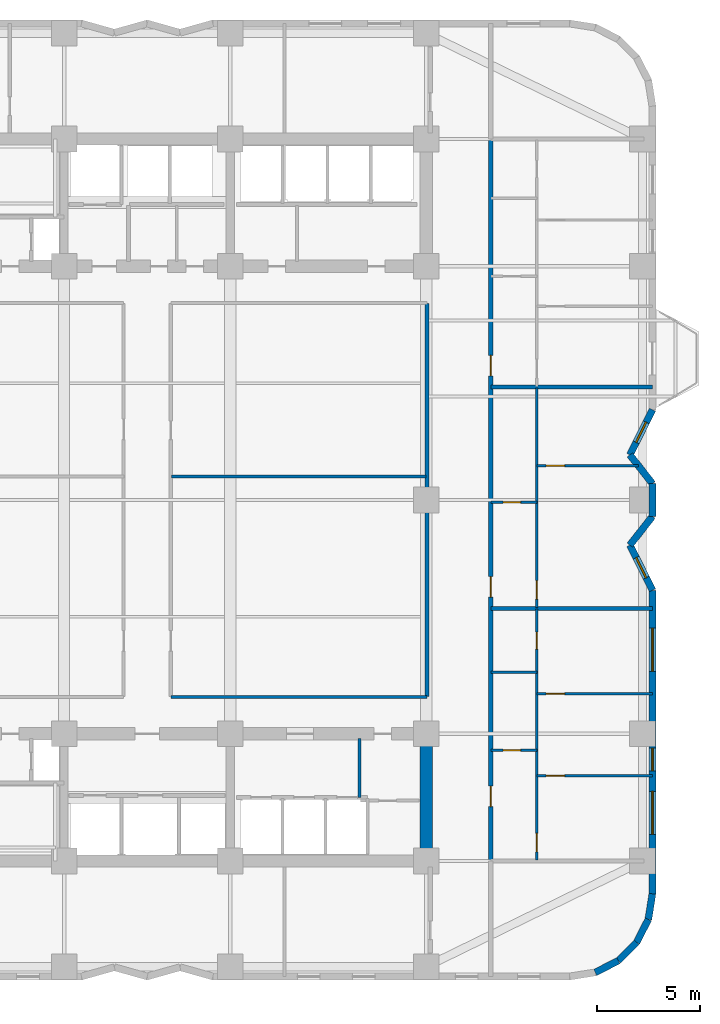
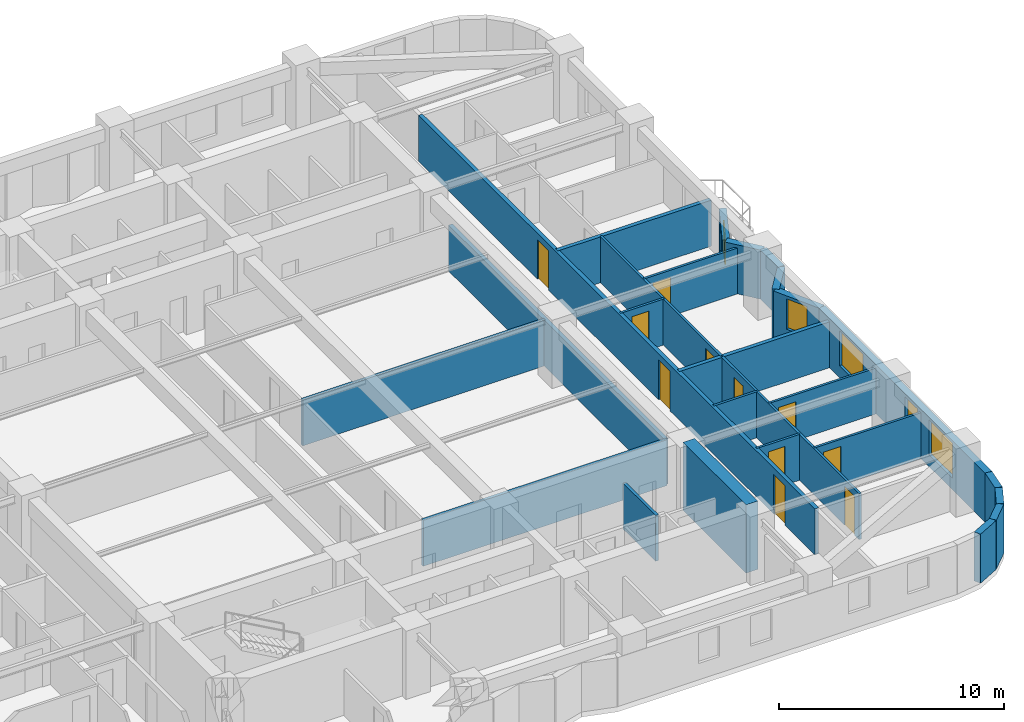
# One storey, part 5 of 10: 26 walls, 11 doors, 5 windows, 16 openings.
"""IFC4 building model written with IfcOpenShell, lengths in metres."""

from ifc_helpers import new_model, si_unit, direction, frame, frame_2d, origin, place, context, subcontext, project, spatial, rectangle, extrude, material, layer, layer_set, type_object, element, fill, save


model = new_model("IFC4")

# Units and contexts
model_context = context("Model", 3, precision=1e-05, world=origin(), true_north=direction((0.0, 1.0)))
body_context = subcontext(model_context, "Body", "Model", "MODEL_VIEW")
ifc_project = project(units=[si_unit("LENGTHUNIT", "METRE"), si_unit("AREAUNIT", "SQUARE_METRE"), si_unit("VOLUMEUNIT", "CUBIC_METRE"), si_unit("PLANEANGLEUNIT", "RADIAN"), si_unit("MASSUNIT", "GRAM", prefix="KILO")], contexts=[model_context])

# Site, building, storey
site_placement = place(None, origin())
site = spatial("IfcSite", under=ifc_project, at=site_placement, CompositionType="ELEMENT")
building_placement = place(site_placement, origin())
building = spatial("IfcBuilding", under=site, at=building_placement, Name="Svetorya Sky Lyceum", CompositionType="ELEMENT")
storey_placement = place(building_placement, frame((0.0, 0.0, 73.199951171875)))
storey = spatial("IfcBuildingStorey", under=building, at=storey_placement, Name="L18", CompositionType="ELEMENT", Elevation=73.199951171875)

# Walls
ifc_material_1 = material(Name="Concrete C60/75", Category="concrete")
ifc_layer_1 = layer(ifc_material_1, 0.60009765625)
ifc_layer_set_1 = layer_set([ifc_layer_1], Name="Concrete C60/75")
wall_type_1 = type_object("IfcWallType", Name="WL-CORE-600", PredefinedType="SHEAR", material=ifc_layer_set_1)
wall_1_placement = place(storey_placement, frame((52.800048828125, 10.89990234375, 0.0), z_axis=(0.0, 0.0, 1.0), x_axis=(0.0, 1.0, 0.0)))
element("IfcWall", 1, at=wall_1_placement, inside=storey, type_object=wall_type_1, Name="L18 SC East Core Shear Wall", PredefinedType="SHEAR", context=body_context, shape_type="SweptSolid", body=[
    extrude(rectangle(XDim=5.60009765625, YDim=0.60009765625, at=frame_2d((2.800048828125, 0.0))), origin(), (0.0, 0.0, 1.0), 3.699951171875),
])
ifc_material_2 = material(Name="Putilovo limestone rainscreen on autoclaved cellular masonry", Category="masonry")
ifc_layer_2 = layer(ifc_material_2, 0.340087890625)
ifc_layer_set_2 = layer_set([ifc_layer_2], Name="Putilovo limestone rainscreen on autoclaved cellular masonry")
wall_type_2 = type_object("IfcWallType", Name="WL-EXT-340", PredefinedType="SOLIDWALL", material=ifc_layer_set_2)
for number, where, z_axis, x_axis, name in (
    (2, (61.04541015625, 5.167236328125, 0.0), (0.0, 0.0, 1.0), (0.890953769915, 0.454094020963, 0.0), "L18 Limestone Exterior Wall 13M"),
    (3, (62.168701171875, 5.73974609375, 0.0), (0.0, 0.0, 1.0), (0.707203598708, 0.707009950407, 0.0), "L18 Limestone Exterior Wall 14M"),
):
    element("IfcWall", number, at=place(storey_placement, frame(where, z_axis=z_axis, x_axis=x_axis)), inside=storey, type_object=wall_type_2, Name=name, PredefinedType="SOLIDWALL", context=body_context, shape_type="SweptSolid", body=[
        extrude(rectangle(XDim=1.2607421875, YDim=0.340087890625, at=frame_2d((0.63037109375, 0.0))), origin(), (0.0, 0.0, 1.0), 2.66015625),
    ])
for number, where, z_axis, x_axis, name in (
    (4, (63.060302734375, 6.631103515625, 0.0), (0.0, 0.0, 1.0), (0.454015689056, 0.890993689142, 0.0), "L18 Limestone Exterior Wall 15M"),
    (5, (63.6328125, 7.754638671875, 0.0), (0.0, 0.0, 1.0), (0.15644975923, 0.987685918112, 0.0), "L18 Limestone Exterior Wall 16M"),
):
    element("IfcWall", number, at=place(storey_placement, frame(where, z_axis=z_axis, x_axis=x_axis)), inside=storey, type_object=wall_type_2, Name=name, PredefinedType="SOLIDWALL", context=body_context, shape_type="SweptSolid", body=[
        extrude(rectangle(XDim=1.260986328125, YDim=0.340087890625, at=frame_2d((0.63037109375, 0.0))), origin(), (0.0, 0.0, 1.0), 2.66015625),
    ])

# Wall, openings, windows
wall_2_placement = place(storey_placement, frame((63.830078125, 9.0, 0.0), z_axis=(0.0, 0.0, 1.0), x_axis=(0.0, 1.0, 0.0)))
wall_2 = element("IfcWall", 6, at=wall_2_placement, inside=storey, type_object=wall_type_2, Name="L18 Limestone Exterior Wall 17M", PredefinedType="SOLIDWALL", context=body_context, shape_type="SweptSolid", body=[
    extrude(rectangle(XDim=14.800048828125, YDim=0.340087890625, at=frame_2d((7.39990234375, 0.0))), origin(), (0.0, 0.0, 1.0), 2.66015625),
])
opening_1_placement = place(wall_2_placement, frame((2.89990234375, 0.0, 0.639892578125)))
opening_1 = element("IfcOpeningElement", 7, at=opening_1_placement, cuts=wall_2, Name="Opening W-R0", PredefinedType="OPENING", context=body_context, shape_type="SweptSolid", body=[
    extrude(rectangle(XDim=2.10009765625, YDim=1.89990234375, at=frame_2d((1.050048828125, 0.949951171875))), frame((0.0, 0.179931640625, 0.0), z_axis=(0.0, -1.0, 0.0), x_axis=(1.0, 0.0, 0.0)), (0.0, 0.0, 1.0), 0.360107421875),
])
opening_2_placement = place(wall_2_placement, frame((6.0, 0.0, 0.85009765625)))
opening_2 = element("IfcOpeningElement", 8, at=opening_2_placement, cuts=wall_2, Name="Opening W-R3", PredefinedType="OPENING", context=body_context, shape_type="SweptSolid", body=[
    extrude(rectangle(XDim=1.10009765625, YDim=1.64990234375, at=frame_2d((0.550048828125, 0.824951171875))), frame((0.0, 0.179931640625, 0.0), z_axis=(0.0, -1.0, 0.0), x_axis=(1.0, 0.0, 0.0)), (0.0, 0.0, 1.0), 0.360107421875),
])
opening_3_placement = place(wall_2_placement, frame((10.85009765625, 0.0, 0.639892578125)))
opening_3 = element("IfcOpeningElement", 9, at=opening_3_placement, cuts=wall_2, Name="Opening W-R0", PredefinedType="OPENING", context=body_context, shape_type="SweptSolid", body=[
    extrude(rectangle(XDim=2.10009765625, YDim=1.89990234375, at=frame_2d((1.050048828125, 0.949951171875))), frame((0.0, 0.179931640625, 0.0), z_axis=(0.0, -1.0, 0.0), x_axis=(1.0, 0.0, 0.0)), (0.0, 0.0, 1.0), 0.360107421875),
])
ifc_material_3 = material(Name="Thermally broken aluminium frame with triple low-E glazing", Category="aluminium")
window_type_1 = type_object("IfcWindowType", Name="WN-RES-110", PartitioningType="SINGLE_PANEL", PredefinedType="WINDOW", material=ifc_material_3)
window_1_placement = place(opening_2_placement, origin())
window_1 = element("IfcWindow", 10, at=window_1_placement, inside=storey, type_object=window_type_1, Name="L18 Facade Window W-R3.17M.3", OverallHeight=1.64990234375, OverallWidth=1.10009765625, PartitioningType="SINGLE_PANEL", PredefinedType="WINDOW", context=body_context, shape_type="SweptSolid", body=[
    extrude(rectangle(XDim=1.10009765625, YDim=1.64990234375, at=frame_2d((0.550048828125, 0.824951171875))), frame((0.0, 0.030029296875, 0.0), z_axis=(0.0, -1.0, 0.0), x_axis=(1.0, 0.0, 0.0)), (0.0, 0.0, 1.0), 0.06005859375),
])
fill(opening_2, window_1)
window_type_2 = type_object("IfcWindowType", Name="WN-RES-210", PartitioningType="TRIPLE_PANEL_VERTICAL", PredefinedType="WINDOW", material=ifc_material_3)
window_2_placement = place(opening_1_placement, origin())
window_2 = element("IfcWindow", 11, at=window_2_placement, inside=storey, type_object=window_type_2, Name="L18 Facade Window W-R0.17M.1", OverallHeight=1.89990234375, OverallWidth=2.10009765625, PartitioningType="SINGLE_PANEL", PredefinedType="WINDOW", context=body_context, shape_type="SweptSolid", body=[
    extrude(rectangle(XDim=2.10009765625, YDim=1.89990234375, at=frame_2d((1.050048828125, 0.949951171875))), frame((0.0, 0.030029296875, 0.0), z_axis=(0.0, -1.0, 0.0), x_axis=(1.0, 0.0, 0.0)), (0.0, 0.0, 1.0), 0.06005859375),
])
fill(opening_1, window_2)
window_3_placement = place(opening_3_placement, origin())
window_3 = element("IfcWindow", 12, at=window_3_placement, inside=storey, type_object=window_type_2, Name="L18 Facade Window W-R0.17M.2", OverallHeight=1.89990234375, OverallWidth=2.10009765625, PartitioningType="SINGLE_PANEL", PredefinedType="WINDOW", context=body_context, shape_type="SweptSolid", body=[
    extrude(rectangle(XDim=2.10009765625, YDim=1.89990234375, at=frame_2d((1.050048828125, 0.949951171875))), frame((0.0, 0.030029296875, 0.0), z_axis=(0.0, -1.0, 0.0), x_axis=(1.0, 0.0, 0.0)), (0.0, 0.0, 1.0), 0.06005859375),
])
fill(opening_3, window_3)

# Wall, opening, window
wall_3_placement = place(storey_placement, frame((63.830078125, 23.800048828125, 0.0), z_axis=(0.0, 0.0, 1.0), x_axis=(-0.447253297971, 0.894407338663, 0.0)))
wall_3 = element("IfcWall", 13, at=wall_3_placement, inside=storey, type_object=wall_type_2, Name="L18 Limestone Exterior Wall 18M", PredefinedType="SOLIDWALL", context=body_context, shape_type="SweptSolid", body=[
    extrude(rectangle(XDim=2.459716796875, YDim=0.340087890625, at=frame_2d((1.22998046875, 0.0))), origin(), (0.0, 0.0, 1.0), 2.66015625),
])
opening_4_placement = place(wall_3_placement, frame((0.6796875, 0.0, 0.85009765625)))
opening_4 = element("IfcOpeningElement", 14, at=opening_4_placement, cuts=wall_3, Name="Opening W-R3", PredefinedType="OPENING", context=body_context, shape_type="SweptSolid", body=[
    extrude(rectangle(XDim=1.10009765625, YDim=1.64990234375, at=frame_2d((0.550048828125, 0.824951171875))), frame((0.0, 0.179931640625, 0.0), z_axis=(0.0, -1.0, 0.0), x_axis=(1.0, 0.0, 0.0)), (0.0, 0.0, 1.0), 0.360107421875),
])
window_4_placement = place(opening_4_placement, origin())
window_4 = element("IfcWindow", 15, at=window_4_placement, inside=storey, type_object=window_type_1, Name="L18 Facade Window W-R3.18M.1", OverallHeight=1.64990234375, OverallWidth=1.10009765625, PartitioningType="SINGLE_PANEL", PredefinedType="WINDOW", context=body_context, shape_type="SweptSolid", body=[
    extrude(rectangle(XDim=1.10009765625, YDim=1.64990234375, at=frame_2d((0.550048828125, 0.824951171875))), frame((0.0, 0.030029296875, 0.0), z_axis=(0.0, -1.0, 0.0), x_axis=(1.0, 0.0, 0.0)), (0.0, 0.0, 1.0), 0.06005859375),
])
fill(opening_4, window_4)

# Walls
wall_4_placement = place(storey_placement, frame((62.72998046875, 26.0, 0.0), z_axis=(0.0, 0.0, 1.0), x_axis=(0.617882109729, 0.786270753925, 0.0)))
element("IfcWall", 16, at=wall_4_placement, inside=storey, type_object=wall_type_2, Name="L18 Limestone Exterior Wall 19M", PredefinedType="SOLIDWALL", context=body_context, shape_type="SweptSolid", body=[
    extrude(rectangle(XDim=1.780517578125, YDim=0.340087890625, at=frame_2d((0.89013671875, 0.0))), origin(), (0.0, 0.0, 1.0), 2.66015625),
])
wall_5_placement = place(storey_placement, frame((63.830078125, 27.39990234375, 0.0), z_axis=(0.0, 0.0, 1.0), x_axis=(0.0, 1.0, 0.0)))
element("IfcWall", 17, at=wall_5_placement, inside=storey, type_object=wall_type_2, Name="L18 Limestone Exterior Wall 20M", PredefinedType="SOLIDWALL", context=body_context, shape_type="SweptSolid", body=[
    extrude(rectangle(XDim=1.60009765625, YDim=0.340087890625, at=frame_2d((0.800048828125, 0.0))), origin(), (0.0, 0.0, 1.0), 2.66015625),
])
wall_6_placement = place(storey_placement, frame((63.830078125, 29.0, 0.0), z_axis=(0.0, 0.0, 1.0), x_axis=(-0.617882109729, 0.786270753925, 0.0)))
element("IfcWall", 18, at=wall_6_placement, inside=storey, type_object=wall_type_2, Name="L18 Limestone Exterior Wall 21M", PredefinedType="SOLIDWALL", context=body_context, shape_type="SweptSolid", body=[
    extrude(rectangle(XDim=1.780517578125, YDim=0.340087890625, at=frame_2d((0.89013671875, 0.0))), origin(), (0.0, 0.0, 1.0), 2.66015625),
])

# Wall, opening, window
wall_7_placement = place(storey_placement, frame((62.72998046875, 30.39990234375, 0.0), z_axis=(0.0, 0.0, 1.0), x_axis=(0.4472135955, 0.894427191, 0.0)))
wall_7 = element("IfcWall", 19, at=wall_7_placement, inside=storey, type_object=wall_type_2, Name="L18 Limestone Exterior Wall 22M", PredefinedType="SOLIDWALL", context=body_context, shape_type="SweptSolid", body=[
    extrude(rectangle(XDim=2.4599609375, YDim=0.340087890625, at=frame_2d((1.22998046875, 0.0))), origin(), (0.0, 0.0, 1.0), 2.66015625),
])
opening_5_placement = place(wall_7_placement, frame((0.6796875, 0.0, 0.85009765625)))
opening_5 = element("IfcOpeningElement", 20, at=opening_5_placement, cuts=wall_7, Name="Opening W-R3", PredefinedType="OPENING", context=body_context, shape_type="SweptSolid", body=[
    extrude(rectangle(XDim=1.10009765625, YDim=1.64990234375, at=frame_2d((0.550048828125, 0.824951171875))), frame((0.0, 0.179931640625, 0.0), z_axis=(0.0, -1.0, 0.0), x_axis=(1.0, 0.0, 0.0)), (0.0, 0.0, 1.0), 0.360107421875),
])
window_5_placement = place(opening_5_placement, origin())
window_5 = element("IfcWindow", 21, at=window_5_placement, inside=storey, type_object=window_type_1, Name="L18 Facade Window W-R3.22M.1", OverallHeight=1.64990234375, OverallWidth=1.10009765625, PartitioningType="SINGLE_PANEL", PredefinedType="WINDOW", context=body_context, shape_type="SweptSolid", body=[
    extrude(rectangle(XDim=1.10009765625, YDim=1.64990234375, at=frame_2d((0.550048828125, 0.824951171875))), frame((0.0, 0.030029296875, 0.0), z_axis=(0.0, -1.0, 0.0), x_axis=(1.0, 0.0, 0.0)), (0.0, 0.0, 1.0), 0.06005859375),
])
fill(opening_5, window_5)

# Wall, opening, door
ifc_material_4 = material(Name="Twin-stud galvanized framing with double fireboard", Category="gypsum")
ifc_layer_3 = layer(ifc_material_4, 0.1201171875)
ifc_layer_set_3 = layer_set([ifc_layer_3], Name="Twin-stud galvanized framing with double fireboard")
wall_type_3 = type_object("IfcWallType", Name="WL-PART-120", PredefinedType="PARTITIONING", material=ifc_layer_set_3)
wall_8_placement = place(storey_placement, frame((55.949951171875, 16.0, 0.0), z_axis=(0.0, 0.0, 1.0), x_axis=(1.0, 0.0, 0.0)))
wall_8 = element("IfcWall", 22, at=wall_8_placement, inside=storey, type_object=wall_type_3, Name="L18 Interior Partition E1-WH1", PredefinedType="PARTITIONING", context=body_context, shape_type="SweptSolid", body=[
    extrude(rectangle(XDim=2.25, YDim=0.1201171875, at=frame_2d((1.125, 0.0))), origin(), (0.0, 0.0, 1.0), 2.489990234375),
])
opening_6_placement = place(wall_8_placement, frame((0.60009765625, 0.0, 0.0)))
opening_6 = element("IfcOpeningElement", 23, at=opening_6_placement, cuts=wall_8, Name="Opening D-BT1", PredefinedType="OPENING", context=body_context, shape_type="SweptSolid", body=[
    extrude(rectangle(XDim=0.85009765625, YDim=2.10009765625, at=frame_2d((0.425048828125, 1.050048828125))), frame((0.0, 0.070068359375, 0.0), z_axis=(0.0, -1.0, 0.0), x_axis=(1.0, 0.0, 0.0)), (0.0, 0.0, 1.0), 0.14013671875),
])
ifc_material_5 = material(Name="Moisture-resistant laminate bathroom door")
door_type_1 = type_object("IfcDoorType", Name="DR-WET-850", OperationType="SINGLE_SWING_LEFT", PredefinedType="DOOR", material=ifc_material_5)
door_1_placement = place(opening_6_placement, origin())
door_1 = element("IfcDoor", 24, at=door_1_placement, inside=storey, type_object=door_type_1, Name="Apartment E1 Bathroom Door", OperationType="SINGLE_SWING_RIGHT", OverallHeight=2.10009765625, OverallWidth=0.85009765625, PredefinedType="DOOR", context=body_context, shape_type="SweptSolid", body=[
    extrude(rectangle(XDim=0.85009765625, YDim=2.10009765625, at=frame_2d((0.425048828125, 1.050048828125))), frame((0.0, 0.02490234375, 0.0), z_axis=(0.0, -1.0, 0.0), x_axis=(1.0, 0.0, 0.0)), (0.0, 0.0, 1.0), 0.050048828125),
])
fill(opening_6, door_1)

# Wall
wall_9_placement = place(storey_placement, frame((55.949951171875, 19.800048828125, 0.0), z_axis=(0.0, 0.0, 1.0), x_axis=(1.0, 0.0, 0.0)))
element("IfcWall", 25, at=wall_9_placement, inside=storey, type_object=wall_type_3, Name="L18 Interior Partition E1-WH2", PredefinedType="PARTITIONING", context=body_context, shape_type="SweptSolid", body=[
    extrude(rectangle(XDim=2.25, YDim=0.1201171875, at=frame_2d((1.125, 0.0))), origin(), (0.0, 0.0, 1.0), 2.489990234375),
])

# Wall, opening, door
wall_10_placement = place(storey_placement, frame((58.199951171875, 14.75, 0.0), z_axis=(0.0, 0.0, 1.0), x_axis=(1.0, 0.0, 0.0)))
wall_10 = element("IfcWall", 26, at=wall_10_placement, inside=storey, type_object=wall_type_3, Name="L18 Interior Partition E1-WL1", PredefinedType="PARTITIONING", context=body_context, shape_type="SweptSolid", body=[
    extrude(rectangle(XDim=5.630126953125, YDim=0.1201171875, at=frame_2d((2.81494140625, 0.0))), origin(), (0.0, 0.0, 1.0), 2.489990234375),
])
opening_7_placement = place(wall_10_placement, frame((0.449951171875, 0.0, 0.0)))
opening_7 = element("IfcOpeningElement", 27, at=opening_7_placement, cuts=wall_10, Name="Opening D-RM1", PredefinedType="OPENING", context=body_context, shape_type="SweptSolid", body=[
    extrude(rectangle(XDim=0.89990234375, YDim=2.10009765625, at=frame_2d((0.449951171875, 1.050048828125))), frame((0.0, 0.070068359375, 0.0), z_axis=(0.0, -1.0, 0.0), x_axis=(1.0, 0.0, 0.0)), (0.0, 0.0, 1.0), 0.14013671875),
])
ifc_material_6 = material(Name="Lacquered birch veneer internal door")
door_type_2 = type_object("IfcDoorType", Name="DR-INT-900", OperationType="SINGLE_SWING_LEFT", PredefinedType="DOOR", material=ifc_material_6)
door_2_placement = place(opening_7_placement, origin())
door_2 = element("IfcDoor", 28, at=door_2_placement, inside=storey, type_object=door_type_2, Name="Apartment E1 Master Bedroom Door", OperationType="SINGLE_SWING_RIGHT", OverallHeight=2.10009765625, OverallWidth=0.89990234375, PredefinedType="DOOR", context=body_context, shape_type="SweptSolid", body=[
    extrude(rectangle(XDim=0.89990234375, YDim=2.10009765625, at=frame_2d((0.449951171875, 1.050048828125))), frame((0.0, 0.02490234375, 0.0), z_axis=(0.0, -1.0, 0.0), x_axis=(1.0, 0.0, 0.0)), (0.0, 0.0, 1.0), 0.050048828125),
])
fill(opening_7, door_2)

wall_11_placement = place(storey_placement, frame((58.199951171875, 18.75, 0.0), z_axis=(0.0, 0.0, 1.0), x_axis=(1.0, 0.0, 0.0)))
wall_11 = element("IfcWall", 29, at=wall_11_placement, inside=storey, type_object=wall_type_3, Name="L18 Interior Partition E1-WL2", PredefinedType="PARTITIONING", context=body_context, shape_type="SweptSolid", body=[
    extrude(rectangle(XDim=5.630126953125, YDim=0.1201171875, at=frame_2d((2.81494140625, 0.0))), origin(), (0.0, 0.0, 1.0), 2.489990234375),
])
opening_8_placement = place(wall_11_placement, frame((0.449951171875, 0.0, 0.0)))
opening_8 = element("IfcOpeningElement", 30, at=opening_8_placement, cuts=wall_11, Name="Opening D-RM1", PredefinedType="OPENING", context=body_context, shape_type="SweptSolid", body=[
    extrude(rectangle(XDim=0.89990234375, YDim=2.10009765625, at=frame_2d((0.449951171875, 1.050048828125))), frame((0.0, 0.070068359375, 0.0), z_axis=(0.0, -1.0, 0.0), x_axis=(1.0, 0.0, 0.0)), (0.0, 0.0, 1.0), 0.14013671875),
])
door_3_placement = place(opening_8_placement, origin())
door_3 = element("IfcDoor", 31, at=door_3_placement, inside=storey, type_object=door_type_2, Name="Apartment E1 Bedroom 2 Door", OperationType="SINGLE_SWING_LEFT", OverallHeight=2.10009765625, OverallWidth=0.89990234375, PredefinedType="DOOR", context=body_context, shape_type="SweptSolid", body=[
    extrude(rectangle(XDim=0.89990234375, YDim=2.10009765625, at=frame_2d((0.449951171875, 1.050048828125))), frame((0.0, 0.02490234375, 0.0), z_axis=(0.0, -1.0, 0.0), x_axis=(1.0, 0.0, 0.0)), (0.0, 0.0, 1.0), 0.050048828125),
])
fill(opening_8, door_3)

# Wall, openings, doors
wall_12_placement = place(storey_placement, frame((58.199951171875, 10.639892578125, 0.0), z_axis=(0.0, 0.0, 1.0), x_axis=(0.0, 1.0, 0.0)))
wall_12 = element("IfcWall", 32, at=wall_12_placement, inside=storey, type_object=wall_type_3, Name="L18 Interior Partition E1-WV", PredefinedType="PARTITIONING", context=body_context, shape_type="SweptSolid", body=[
    extrude(rectangle(XDim=12.239990234375, YDim=0.1201171875, at=frame_2d((6.1201171875, 0.0))), origin(), (0.0, 0.0, 1.0), 2.489990234375),
])
opening_9_placement = place(wall_12_placement, frame((0.409912109375, 0.0, 0.0)))
opening_9 = element("IfcOpeningElement", 33, at=opening_9_placement, cuts=wall_12, Name="Opening D-RM1", PredefinedType="OPENING", context=body_context, shape_type="SweptSolid", body=[
    extrude(rectangle(XDim=0.89990234375, YDim=2.10009765625, at=frame_2d((0.449951171875, 1.050048828125))), frame((0.0, 0.070068359375, 0.0), z_axis=(0.0, -1.0, 0.0), x_axis=(1.0, 0.0, 0.0)), (0.0, 0.0, 1.0), 0.14013671875),
])
opening_10_placement = place(wall_12_placement, frame((10.294921875, 0.0, 0.0)))
opening_10 = element("IfcOpeningElement", 34, at=opening_10_placement, cuts=wall_12, Name="Opening D-BT2", PredefinedType="OPENING", context=body_context, shape_type="SweptSolid", body=[
    extrude(rectangle(XDim=0.820068359375, YDim=2.080078125, at=frame_2d((0.41015625, 1.0400390625))), frame((0.0, 0.070068359375, 0.0), z_axis=(0.0, -1.0, 0.0), x_axis=(1.0, 0.0, 0.0)), (0.0, 0.0, 1.0), 0.14013671875),
])
door_4_placement = place(opening_9_placement, origin())
door_4 = element("IfcDoor", 35, at=door_4_placement, inside=storey, type_object=door_type_2, Name="Apartment E1 Living Door", OperationType="SINGLE_SWING_LEFT", OverallHeight=2.10009765625, OverallWidth=0.89990234375, PredefinedType="DOOR", context=body_context, shape_type="SweptSolid", body=[
    extrude(rectangle(XDim=0.89990234375, YDim=2.10009765625, at=frame_2d((0.449951171875, 1.050048828125))), frame((0.0, 0.02490234375, 0.0), z_axis=(0.0, -1.0, 0.0), x_axis=(1.0, 0.0, 0.0)), (0.0, 0.0, 1.0), 0.050048828125),
])
fill(opening_9, door_4)
ifc_material_7 = material(Name="Compact moisture-resistant laminate closet door")
door_type_3 = type_object("IfcDoorType", Name="DR-WET-820", OperationType="SINGLE_SWING_LEFT", PredefinedType="DOOR", material=ifc_material_7)
door_5_placement = place(opening_10_placement, origin())
door_5 = element("IfcDoor", 36, at=door_5_placement, inside=storey, type_object=door_type_3, Name="Apartment E1 Study Door", OperationType="SINGLE_SWING_RIGHT", OverallHeight=2.080078125, OverallWidth=0.820068359375, PredefinedType="DOOR", context=body_context, shape_type="SweptSolid", body=[
    extrude(rectangle(XDim=0.820068359375, YDim=2.080078125, at=frame_2d((0.41015625, 1.0400390625))), frame((0.0, 0.02490234375, 0.0), z_axis=(0.0, -1.0, 0.0), x_axis=(1.0, 0.0, 0.0)), (0.0, 0.0, 1.0), 0.050048828125),
])
fill(opening_10, door_5)

# Wall, opening, door
wall_13_placement = place(storey_placement, frame((55.949951171875, 28.090087890625, 0.0), z_axis=(0.0, 0.0, 1.0), x_axis=(1.0, 0.0, 0.0)))
wall_13 = element("IfcWall", 37, at=wall_13_placement, inside=storey, type_object=wall_type_3, Name="L18 Interior Partition E2-WH1", PredefinedType="PARTITIONING", context=body_context, shape_type="SweptSolid", body=[
    extrude(rectangle(XDim=2.25, YDim=0.1201171875, at=frame_2d((1.125, 0.0))), origin(), (0.0, 0.0, 1.0), 2.489990234375),
])
opening_11_placement = place(wall_13_placement, frame((0.60009765625, 0.0, 0.0)))
opening_11 = element("IfcOpeningElement", 38, at=opening_11_placement, cuts=wall_13, Name="Opening D-BT1", PredefinedType="OPENING", context=body_context, shape_type="SweptSolid", body=[
    extrude(rectangle(XDim=0.85009765625, YDim=2.10009765625, at=frame_2d((0.425048828125, 1.050048828125))), frame((0.0, 0.070068359375, 0.0), z_axis=(0.0, -1.0, 0.0), x_axis=(1.0, 0.0, 0.0)), (0.0, 0.0, 1.0), 0.14013671875),
])
door_6_placement = place(opening_11_placement, origin())
door_6 = element("IfcDoor", 39, at=door_6_placement, inside=storey, type_object=door_type_1, Name="Apartment E2 Bathroom Door", OperationType="SINGLE_SWING_LEFT", OverallHeight=2.10009765625, OverallWidth=0.85009765625, PredefinedType="DOOR", context=body_context, shape_type="SweptSolid", body=[
    extrude(rectangle(XDim=0.85009765625, YDim=2.10009765625, at=frame_2d((0.425048828125, 1.050048828125))), frame((0.0, 0.02490234375, 0.0), z_axis=(0.0, -1.0, 0.0), x_axis=(1.0, 0.0, 0.0)), (0.0, 0.0, 1.0), 0.050048828125),
])
fill(opening_11, door_6)

wall_14_placement = place(storey_placement, frame((58.199951171875, 29.8701171875, 0.0), z_axis=(0.0, 0.0, 1.0), x_axis=(1.0, 0.0, 0.0)))
wall_14 = element("IfcWall", 40, at=wall_14_placement, inside=storey, type_object=wall_type_3, Name="L18 Interior Partition E2-WL1", PredefinedType="PARTITIONING", context=body_context, shape_type="SweptSolid", body=[
    extrude(rectangle(XDim=4.946533203125, YDim=0.1201171875, at=frame_2d((2.47314453125, 0.0))), origin(), (0.0, 0.0, 1.0), 2.489990234375),
])
opening_12_placement = place(wall_14_placement, frame((0.449951171875, 0.0, 0.0)))
opening_12 = element("IfcOpeningElement", 41, at=opening_12_placement, cuts=wall_14, Name="Opening D-RM1", PredefinedType="OPENING", context=body_context, shape_type="SweptSolid", body=[
    extrude(rectangle(XDim=0.89990234375, YDim=2.10009765625, at=frame_2d((0.449951171875, 1.050048828125))), frame((0.0, 0.070068359375, 0.0), z_axis=(0.0, -1.0, 0.0), x_axis=(1.0, 0.0, 0.0)), (0.0, 0.0, 1.0), 0.14013671875),
])
door_7_placement = place(opening_12_placement, origin())
door_7 = element("IfcDoor", 42, at=door_7_placement, inside=storey, type_object=door_type_2, Name="Apartment E2 Bedroom 1 Door", OperationType="SINGLE_SWING_LEFT", OverallHeight=2.10009765625, OverallWidth=0.89990234375, PredefinedType="DOOR", context=body_context, shape_type="SweptSolid", body=[
    extrude(rectangle(XDim=0.89990234375, YDim=2.10009765625, at=frame_2d((0.449951171875, 1.050048828125))), frame((0.0, 0.02490234375, 0.0), z_axis=(0.0, -1.0, 0.0), x_axis=(1.0, 0.0, 0.0)), (0.0, 0.0, 1.0), 0.050048828125),
])
fill(opening_12, door_7)

wall_15_placement = place(storey_placement, frame((58.199951171875, 22.9599609375, 0.0), z_axis=(0.0, 0.0, 1.0), x_axis=(0.0, 1.0, 0.0)))
wall_15 = element("IfcWall", 43, at=wall_15_placement, inside=storey, type_object=wall_type_3, Name="L18 Interior Partition E2-WV", PredefinedType="PARTITIONING", context=body_context, shape_type="SweptSolid", body=[
    extrude(rectangle(XDim=10.699951171875, YDim=0.1201171875, at=frame_2d((5.35009765625, 0.0))), origin(), (0.0, 0.0, 1.0), 2.489990234375),
])
opening_13_placement = place(wall_15_placement, frame((0.409912109375, 0.0, 0.0)))
opening_13 = element("IfcOpeningElement", 44, at=opening_13_placement, cuts=wall_15, Name="Opening D-RM1", PredefinedType="OPENING", context=body_context, shape_type="SweptSolid", body=[
    extrude(rectangle(XDim=0.89990234375, YDim=2.10009765625, at=frame_2d((0.449951171875, 1.050048828125))), frame((0.0, 0.070068359375, 0.0), z_axis=(0.0, -1.0, 0.0), x_axis=(1.0, 0.0, 0.0)), (0.0, 0.0, 1.0), 0.14013671875),
])
door_8_placement = place(opening_13_placement, origin())
door_8 = element("IfcDoor", 45, at=door_8_placement, inside=storey, type_object=door_type_2, Name="Apartment E2 Living Door", OperationType="SINGLE_SWING_RIGHT", OverallHeight=2.10009765625, OverallWidth=0.89990234375, PredefinedType="DOOR", context=body_context, shape_type="SweptSolid", body=[
    extrude(rectangle(XDim=0.89990234375, YDim=2.10009765625, at=frame_2d((0.449951171875, 1.050048828125))), frame((0.0, 0.02490234375, 0.0), z_axis=(0.0, -1.0, 0.0), x_axis=(1.0, 0.0, 0.0)), (0.0, 0.0, 1.0), 0.050048828125),
])
fill(opening_13, door_8)

# Walls
ifc_material_8 = material(Name="Autoclaved cellular masonry blockwork with acoustic render", Category="masonry")
ifc_layer_4 = layer(ifc_material_8, 0.14990234375)
ifc_layer_set_4 = layer_set([ifc_layer_4], Name="Autoclaved cellular masonry blockwork with acoustic render")
wall_type_4 = type_object("IfcWallType", Name="WL-PART-150", PredefinedType="PARTITIONING", material=ifc_layer_set_4)
wall_16_placement = place(storey_placement, frame((49.550048828125, 13.699951171875, 0.0), z_axis=(0.0, 0.0, 1.0), x_axis=(0.0, 1.0, 0.0)))
element("IfcWall", 46, at=wall_16_placement, inside=storey, type_object=wall_type_4, Name="L18 Interior Partition SC-AUX-V", PredefinedType="PARTITIONING", context=body_context, shape_type="SweptSolid", body=[
    extrude(rectangle(XDim=2.880126953125, YDim=0.14990234375, at=frame_2d((1.43994140625, 0.0))), origin(), (0.0, 0.0, 1.0), 2.489990234375),
])
wall_17_placement = place(storey_placement, frame((40.35009765625, 18.60009765625, 0.0), z_axis=(0.0, 0.0, 1.0), x_axis=(1.0, 0.0, 0.0)))
element("IfcWall", 47, at=wall_17_placement, inside=storey, type_object=wall_type_4, Name="L18 Interior Partition CS-MID-E", PredefinedType="PARTITIONING", context=body_context, shape_type="SweptSolid", body=[
    extrude(rectangle(XDim=12.5, YDim=0.14990234375, at=frame_2d((6.25, 0.0))), origin(), (0.0, 0.0, 1.0), 2.489990234375),
])
wall_18_placement = place(storey_placement, frame((40.3798828125, 29.348388671875, 0.0), z_axis=(0.0, 0.0, 1.0), x_axis=(1.0, 0.0, 0.0)))
element("IfcWall", 48, at=wall_18_placement, inside=storey, type_object=wall_type_4, Name="L18 Interior Partition CEN-HE", PredefinedType="PARTITIONING", context=body_context, shape_type="SweptSolid", body=[
    extrude(rectangle(XDim=12.420166015625, YDim=0.14990234375, at=frame_2d((6.2099609375, 0.0))), origin(), (0.0, 0.0, 1.0), 2.489990234375),
])
ifc_material_9 = material(Name="Autoclaved cellular masonry blockwork with gypsum plaster", Category="masonry")
ifc_layer_5 = layer(ifc_material_9, 0.199951171875)
ifc_layer_set_5 = layer_set([ifc_layer_5], Name="Autoclaved cellular masonry blockwork with gypsum plaster")
wall_type_5 = type_object("IfcWallType", Name="WL-PART-200", PredefinedType="PARTITIONING", material=ifc_layer_set_5)
wall_19_placement = place(storey_placement, frame((52.85009765625, 18.6298828125, 0.0), z_axis=(0.0, 0.0, 1.0), x_axis=(0.0, 1.0, 0.0)))
element("IfcWall", 49, at=wall_19_placement, inside=storey, type_object=wall_type_5, Name="L18 Interior Partition E-CEN-SEP", PredefinedType="PARTITIONING", context=body_context, shape_type="SweptSolid", body=[
    extrude(rectangle(XDim=19.14013671875, YDim=0.199951171875, at=frame_2d((9.570068359375, 0.0))), origin(), (0.0, 0.0, 1.0), 2.489990234375),
])
for number, where, z_axis, x_axis, name in (
    (50, (55.949951171875, 22.919921875, 0.0), (0.0, 0.0, 1.0), (1.0, 0.0, 0.0), "L18 Interior Partition E-PARTY-1"),
    (51, (55.949951171875, 33.699951171875, 0.0), (0.0, 0.0, 1.0), (1.0, 0.0, 0.0), "L18 Interior Partition E-PARTY-2"),
):
    element("IfcWall", number, at=place(storey_placement, frame(where, z_axis=z_axis, x_axis=x_axis)), inside=storey, type_object=wall_type_5, Name=name, PredefinedType="PARTITIONING", context=body_context, shape_type="SweptSolid", body=[
        extrude(rectangle(XDim=7.880126953125, YDim=0.199951171875, at=frame_2d((3.93994140625, 0.0))), origin(), (0.0, 0.0, 1.0), 2.489990234375),
    ])

# Wall, openings, doors
wall_20_placement = place(storey_placement, frame((55.949951171875, 10.60009765625, 0.0), z_axis=(0.0, 0.0, 1.0), x_axis=(0.0, 1.0, 0.0)))
wall_20 = element("IfcWall", 52, at=wall_20_placement, inside=storey, type_object=wall_type_5, Name="L18 Interior Partition E-CORRW", PredefinedType="PARTITIONING", context=body_context, shape_type="SweptSolid", body=[
    extrude(rectangle(XDim=35.199951171875, YDim=0.199951171875, at=frame_2d((17.60009765625, 0.0))), origin(), (0.0, 0.0, 1.0), 2.489990234375),
])
opening_14_placement = place(wall_20_placement, frame((2.64990234375, 0.0, 0.0)))
opening_14 = element("IfcOpeningElement", 53, at=opening_14_placement, cuts=wall_20, Name="Opening D-APT1", PredefinedType="OPENING", context=body_context, shape_type="SweptSolid", body=[
    extrude(rectangle(XDim=1.0, YDim=2.14990234375, at=frame_2d((0.5, 1.074951171875))), frame((0.0, 0.10986328125, 0.0), z_axis=(0.0, -1.0, 0.0), x_axis=(1.0, 0.0, 0.0)), (0.0, 0.0, 1.0), 0.219970703125),
])
opening_15_placement = place(wall_20_placement, frame((12.8701171875, 0.0, 0.0)))
opening_15 = element("IfcOpeningElement", 54, at=opening_15_placement, cuts=wall_20, Name="Opening D-APT1", PredefinedType="OPENING", context=body_context, shape_type="SweptSolid", body=[
    extrude(rectangle(XDim=1.0, YDim=2.14990234375, at=frame_2d((0.5, 1.074951171875))), frame((0.0, 0.10986328125, 0.0), z_axis=(0.0, -1.0, 0.0), x_axis=(1.0, 0.0, 0.0)), (0.0, 0.0, 1.0), 0.219970703125),
])
opening_16_placement = place(wall_20_placement, frame((23.64990234375, 0.0, 0.0)))
opening_16 = element("IfcOpeningElement", 55, at=opening_16_placement, cuts=wall_20, Name="Opening D-APT1", PredefinedType="OPENING", context=body_context, shape_type="SweptSolid", body=[
    extrude(rectangle(XDim=1.0, YDim=2.14990234375, at=frame_2d((0.5, 1.074951171875))), frame((0.0, 0.10986328125, 0.0), z_axis=(0.0, -1.0, 0.0), x_axis=(1.0, 0.0, 0.0)), (0.0, 0.0, 1.0), 0.219970703125),
])
ifc_material_10 = material(Name="Insulated oak-veneered apartment entrance door")
door_type_4 = type_object("IfcDoorType", Name="DR-APT-1000", OperationType="SINGLE_SWING_LEFT", PredefinedType="DOOR", material=ifc_material_10)
door_9_placement = place(opening_14_placement, origin())
door_9 = element("IfcDoor", 56, at=door_9_placement, inside=storey, type_object=door_type_4, Name="L18 Apartment E1 Entrance Door", OperationType="SINGLE_SWING_RIGHT", OverallHeight=2.14990234375, OverallWidth=1.0, PredefinedType="DOOR", context=body_context, shape_type="SweptSolid", body=[
    extrude(rectangle(XDim=1.0, YDim=2.14990234375, at=frame_2d((0.5, 1.074951171875))), frame((0.0, 0.02490234375, 0.0), z_axis=(0.0, -1.0, 0.0), x_axis=(1.0, 0.0, 0.0)), (0.0, 0.0, 1.0), 0.050048828125),
])
fill(opening_14, door_9)
door_10_placement = place(opening_15_placement, origin())
door_10 = element("IfcDoor", 57, at=door_10_placement, inside=storey, type_object=door_type_4, Name="L18 Apartment E2 Entrance Door", OperationType="SINGLE_SWING_LEFT", OverallHeight=2.14990234375, OverallWidth=1.0, PredefinedType="DOOR", context=body_context, shape_type="SweptSolid", body=[
    extrude(rectangle(XDim=1.0, YDim=2.14990234375, at=frame_2d((0.5, 1.074951171875))), frame((0.0, 0.02490234375, 0.0), z_axis=(0.0, -1.0, 0.0), x_axis=(1.0, 0.0, 0.0)), (0.0, 0.0, 1.0), 0.050048828125),
])
fill(opening_15, door_10)
door_11_placement = place(opening_16_placement, origin())
door_11 = element("IfcDoor", 58, at=door_11_placement, inside=storey, type_object=door_type_4, Name="L18 Apartment E3 Entrance Door", OperationType="SINGLE_SWING_RIGHT", OverallHeight=2.14990234375, OverallWidth=1.0, PredefinedType="DOOR", context=body_context, shape_type="SweptSolid", body=[
    extrude(rectangle(XDim=1.0, YDim=2.14990234375, at=frame_2d((0.5, 1.074951171875))), frame((0.0, 0.02490234375, 0.0), z_axis=(0.0, -1.0, 0.0), x_axis=(1.0, 0.0, 0.0)), (0.0, 0.0, 1.0), 0.050048828125),
])
fill(opening_16, door_11)

save(model, "model.ifc")
